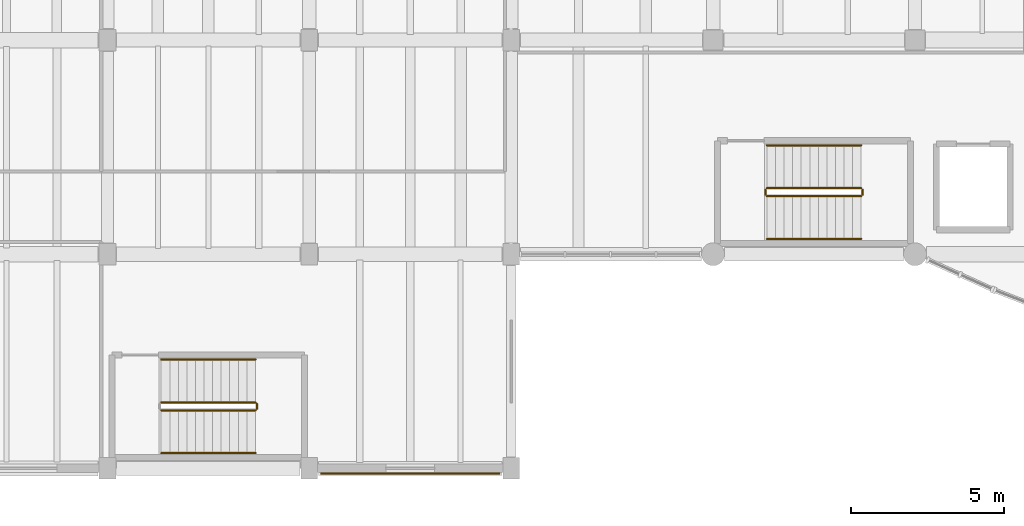
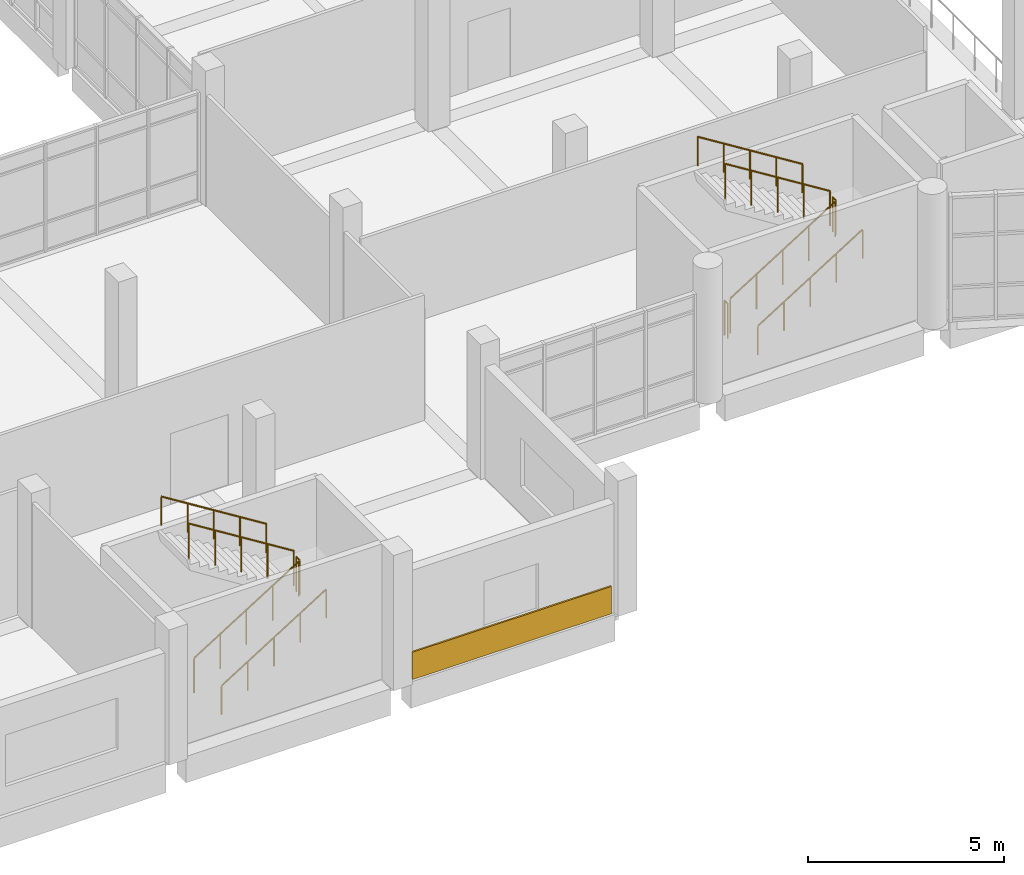
# One storey, part 59 of 68: 11 railings, 1 covering.
"""IFC4 building model written with IfcOpenShell, lengths in metres."""

from ifc_helpers import new_model, si_unit, direction, frame, origin, origin_2d, place, context, subcontext, project, spatial, rectangle, circle, extrude, material, layer, layer_set, type_object, element, save


model = new_model("IFC4")

# Units and contexts
model_context = context("Model", 3, precision=1e-05, world=origin(), true_north=direction((0.0, 1.0)))
body_context = subcontext(model_context, "Body", "Model", "MODEL_VIEW")
ifc_project = project(units=[si_unit("LENGTHUNIT", "METRE"), si_unit("AREAUNIT", "SQUARE_METRE"), si_unit("VOLUMEUNIT", "CUBIC_METRE"), si_unit("PLANEANGLEUNIT", "RADIAN"), si_unit("MASSUNIT", "GRAM", prefix="KILO")], contexts=[model_context])

# Site, building, storey
site_placement = place(None, origin())
site = spatial("IfcSite", under=ifc_project, at=site_placement, CompositionType="ELEMENT")
building_placement = place(site_placement, origin())
building = spatial("IfcBuilding", under=site, at=building_placement, Name="Ciguamira Faculty of Natural Sciences", CompositionType="ELEMENT")
storey_placement = place(building_placement, frame((0.0, 0.0, 4.199951171875)))
storey = spatial("IfcBuildingStorey", under=building, at=storey_placement, Name="L01", CompositionType="ELEMENT", Elevation=4.199951171875)

# Covering
ifc_material_1 = material(Name="Precast concrete C40/50", Category="concrete")
ifc_layer = layer(ifc_material_1, 0.050048828125, Name="Precast concrete C40/50")
ifc_layer_set = layer_set([ifc_layer], Name="Precast concrete C40/50")
covering_type = type_object("IfcCoveringType", Name="Cladding_CL01", PredefinedType="CLADDING", material=ifc_layer_set)
covering_placement = place(storey_placement, frame((47.39990234375, 2.8359375, 0.02490234375), z_axis=(0.0, 0.0, 1.0), x_axis=(1.0, 0.0, 0.0)))
element("IfcCovering", 1, at=covering_placement, inside=storey, type_object=covering_type, Name="L01 precast concrete spandrel cladding 009", PredefinedType="CLADDING", context=body_context, shape_type="SweptSolid", body=[
    extrude(rectangle(XDim=5.85009765625, YDim=0.050048828125, at=origin_2d()), origin(), (0.0, 0.0, 1.0), 0.85009765625),
])

# Railings
ifc_material_2 = material(Name="Stainless steel balustrade", Category="steel")
railing_type_1 = type_object("IfcRailingType", Name="Guardrail_GR01", PredefinedType="GUARDRAIL", material=ifc_material_2)
railing_1_placement = place(storey_placement, frame((59.06005859375, 11.89990234375, 0.175048828125)))
element("IfcRailing", 2, at=railing_1_placement, inside=storey, type_object=railing_type_1, Name="L01 ST-A1 stair guard 1", PredefinedType="GUARDRAIL", context=body_context, shape_type="SweptSolid", body=[
    extrude(circle(Radius=0.02392578125, at=origin_2d()), frame((0.0, 0.0, 1.076171875), z_axis=(0.847979421464, 0.0, 0.530029150871), x_axis=(0.0, 1.0, 0.0)), (0.0, 0.0, 1.0), 3.632080078125),
    extrude(circle(Radius=0.02099609375, at=origin_2d()), origin(), (0.0, 0.0, 1.0), 1.052001953125),
    extrude(circle(Radius=0.02099609375, at=origin_2d()), frame((0.77001953125, 0.0, 0.481201171875)), (0.0, 0.0, 1.0), 1.052001953125),
    extrude(circle(Radius=0.02099609375, at=origin_2d()), frame((1.5400390625, 0.0, 0.96240234375)), (0.0, 0.0, 1.0), 1.052001953125),
    extrude(circle(Radius=0.02099609375, at=origin_2d()), frame((2.309814453125, 0.0, 1.44384765625)), (0.0, 0.0, 1.0), 1.052001953125),
    extrude(circle(Radius=0.02099609375, at=origin_2d()), frame((3.079833984375, 0.0, 1.925048828125)), (0.0, 0.0, 1.0), 1.052001953125),
])
railing_2_placement = place(storey_placement, frame((62.18994140625, 11.949951171875, 2.10009765625)))
element("IfcRailing", 3, at=railing_2_placement, inside=storey, type_object=railing_type_1, Name="L01 ST-A1 stair guard 2", PredefinedType="GUARDRAIL", context=body_context, shape_type="SweptSolid", body=[
    extrude(circle(Radius=0.02392578125, at=origin_2d()), frame((0.0, 0.0, 1.076171875), z_axis=(0.0, 1.0, 0.0), x_axis=(-1.0, 0.0, 0.0)), (0.0, 0.0, 1.0), 0.16015625),
    extrude(circle(Radius=0.02099609375, at=origin_2d()), origin(), (0.0, 0.0, 1.0), 1.052001953125),
    extrude(circle(Radius=0.02099609375, at=origin_2d()), frame((0.0, 0.16015625, 0.0)), (0.0, 0.0, 1.0), 1.052001953125),
])
railing_3_placement = place(storey_placement, frame((62.139892578125, 12.159912109375, 2.275146484375)))
element("IfcRailing", 4, at=railing_3_placement, inside=storey, type_object=railing_type_1, Name="L01 ST-A1 stair guard 3", PredefinedType="GUARDRAIL", context=body_context, shape_type="SweptSolid", body=[
    extrude(circle(Radius=0.02392578125, at=origin_2d()), frame((0.0, 0.0, 1.076171875), z_axis=(-0.848009633417, 0.0, 0.529980812513), x_axis=(0.0, -1.0, 0.0)), (0.0, 0.0, 1.0), 3.6318359375),
    extrude(circle(Radius=0.02099609375, at=origin_2d()), origin(), (0.0, 0.0, 1.0), 1.052001953125),
    extrude(circle(Radius=0.02099609375, at=origin_2d()), frame((-0.77001953125, 0.0, 0.481201171875)), (0.0, 0.0, 1.0), 1.052001953125),
    extrude(circle(Radius=0.02099609375, at=origin_2d()), frame((-1.5400390625, 0.0, 0.96240234375)), (0.0, 0.0, 1.0), 1.052001953125),
    extrude(circle(Radius=0.02099609375, at=origin_2d()), frame((-2.309814453125, 0.0, 1.443603515625)), (0.0, 0.0, 1.0), 1.052001953125),
    extrude(circle(Radius=0.02099609375, at=origin_2d()), frame((-3.079833984375, 0.0, 1.9248046875)), (0.0, 0.0, 1.0), 1.052001953125),
])
railing_4_placement = place(storey_placement, frame((59.010009765625, 11.949951171875, 0.0)))
element("IfcRailing", 5, at=railing_4_placement, inside=storey, type_object=railing_type_1, Name="L01 ST-A1 stair guard 4", PredefinedType="GUARDRAIL", context=body_context, shape_type="SweptSolid", body=[
    extrude(circle(Radius=0.02392578125, at=origin_2d()), frame((0.0, 0.0, 1.076171875), z_axis=(0.0, 1.0, 0.0), x_axis=(-1.0, 0.0, 0.0)), (0.0, 0.0, 1.0), 0.16015625),
    extrude(circle(Radius=0.02099609375, at=origin_2d()), origin(), (0.0, 0.0, 1.0), 1.052001953125),
    extrude(circle(Radius=0.02099609375, at=origin_2d()), frame((0.0, 0.16015625, 0.0)), (0.0, 0.0, 1.0), 1.052001953125),
])
railing_5_placement = place(storey_placement, frame((39.260009765625, 4.89990234375, 0.175048828125)))
element("IfcRailing", 6, at=railing_5_placement, inside=storey, type_object=railing_type_1, Name="L01 ST-C2 stair guard 1", PredefinedType="GUARDRAIL", context=body_context, shape_type="SweptSolid", body=[
    extrude(circle(Radius=0.02392578125, at=origin_2d()), frame((0.0, 0.0, 1.076171875), z_axis=(0.847998304005, 0.0, 0.529998940003), x_axis=(0.0, 1.0, 0.0)), (0.0, 0.0, 1.0), 3.632080078125),
    extrude(circle(Radius=0.02099609375, at=origin_2d()), origin(), (0.0, 0.0, 1.0), 1.052001953125),
    extrude(circle(Radius=0.02099609375, at=origin_2d()), frame((0.77001953125, 0.0, 0.481201171875)), (0.0, 0.0, 1.0), 1.052001953125),
    extrude(circle(Radius=0.02099609375, at=origin_2d()), frame((1.5400390625, 0.0, 0.96240234375)), (0.0, 0.0, 1.0), 1.052001953125),
    extrude(circle(Radius=0.02099609375, at=origin_2d()), frame((2.31005859375, 0.0, 1.44384765625)), (0.0, 0.0, 1.0), 1.052001953125),
    extrude(circle(Radius=0.02099609375, at=origin_2d()), frame((3.080078125, 0.0, 1.925048828125)), (0.0, 0.0, 1.0), 1.052001953125),
])
railing_6_placement = place(storey_placement, frame((42.389892578125, 4.949951171875, 2.10009765625)))
element("IfcRailing", 7, at=railing_6_placement, inside=storey, type_object=railing_type_1, Name="L01 ST-C2 stair guard 2", PredefinedType="GUARDRAIL", context=body_context, shape_type="SweptSolid", body=[
    extrude(circle(Radius=0.02392578125, at=origin_2d()), frame((0.0, 0.0, 1.076171875), z_axis=(0.0, 1.0, 0.0), x_axis=(-1.0, 0.0, 0.0)), (0.0, 0.0, 1.0), 0.16015625),
    extrude(circle(Radius=0.02099609375, at=origin_2d()), origin(), (0.0, 0.0, 1.0), 1.052001953125),
    extrude(circle(Radius=0.02099609375, at=origin_2d()), frame((0.0, 0.16015625, 0.0)), (0.0, 0.0, 1.0), 1.052001953125),
])
railing_7_placement = place(storey_placement, frame((42.340087890625, 5.159912109375, 2.275146484375)))
element("IfcRailing", 8, at=railing_7_placement, inside=storey, type_object=railing_type_1, Name="L01 ST-C2 stair guard 3", PredefinedType="GUARDRAIL", context=body_context, shape_type="SweptSolid", body=[
    extrude(circle(Radius=0.02392578125, at=origin_2d()), frame((0.0, 0.0, 1.076171875), z_axis=(-0.848028513186, 0.0, 0.529950602248), x_axis=(0.0, -1.0, 0.0)), (0.0, 0.0, 1.0), 3.632080078125),
    extrude(circle(Radius=0.02099609375, at=origin_2d()), origin(), (0.0, 0.0, 1.0), 1.052001953125),
    extrude(circle(Radius=0.02099609375, at=origin_2d()), frame((-0.77001953125, 0.0, 0.481201171875)), (0.0, 0.0, 1.0), 1.052001953125),
    extrude(circle(Radius=0.02099609375, at=origin_2d()), frame((-1.5400390625, 0.0, 0.96240234375)), (0.0, 0.0, 1.0), 1.052001953125),
    extrude(circle(Radius=0.02099609375, at=origin_2d()), frame((-2.31005859375, 0.0, 1.443603515625)), (0.0, 0.0, 1.0), 1.052001953125),
    extrude(circle(Radius=0.02099609375, at=origin_2d()), frame((-3.080078125, 0.0, 1.9248046875)), (0.0, 0.0, 1.0), 1.052001953125),
])
ifc_material_3 = material(Name="Stainless steel handrail", Category="steel")
railing_type_2 = type_object("IfcRailingType", Name="Handrail_HR01", PredefinedType="HANDRAIL", material=ifc_material_3)
railing_8_placement = place(storey_placement, frame((59.06005859375, 10.5, 0.35009765625)))
element("IfcRailing", 9, at=railing_8_placement, inside=storey, type_object=railing_type_2, Name="L01 ST-A1 stair handrail 1", PredefinedType="HANDRAIL", context=body_context, shape_type="SweptSolid", body=[
    extrude(circle(Radius=0.02392578125, at=origin_2d()), frame((0.0, 0.0, 0.89111328125), z_axis=(0.847979421464, 0.0, 0.530029150871), x_axis=(0.0, 1.0, 0.0)), (0.0, 0.0, 1.0), 3.632080078125),
    extrude(circle(Radius=0.02099609375, at=origin_2d()), origin(), (0.0, 0.0, 1.0), 0.866943359375),
    extrude(circle(Radius=0.02099609375, at=origin_2d()), frame((0.77001953125, 0.0, 0.481201171875)), (0.0, 0.0, 1.0), 0.866943359375),
    extrude(circle(Radius=0.02099609375, at=origin_2d()), frame((1.5400390625, 0.0, 0.96240234375)), (0.0, 0.0, 1.0), 0.866943359375),
    extrude(circle(Radius=0.02099609375, at=origin_2d()), frame((2.309814453125, 0.0, 1.44384765625)), (0.0, 0.0, 1.0), 0.866943359375),
    extrude(circle(Radius=0.02099609375, at=origin_2d()), frame((3.079833984375, 0.0, 1.925048828125)), (0.0, 0.0, 1.0), 0.866943359375),
])
railing_9_placement = place(storey_placement, frame((62.139892578125, 13.56005859375, 2.449951171875)))
element("IfcRailing", 10, at=railing_9_placement, inside=storey, type_object=railing_type_2, Name="L01 ST-A1 stair handrail 2", PredefinedType="HANDRAIL", context=body_context, shape_type="SweptSolid", body=[
    extrude(circle(Radius=0.02392578125, at=origin_2d()), frame((0.0, 0.0, 0.89111328125), z_axis=(-0.847979421464, 0.0, 0.530029150871), x_axis=(0.0, -1.0, 0.0)), (0.0, 0.0, 1.0), 3.632080078125),
    extrude(circle(Radius=0.02099609375, at=origin_2d()), origin(), (0.0, 0.0, 1.0), 0.866943359375),
    extrude(circle(Radius=0.02099609375, at=origin_2d()), frame((-0.77001953125, 0.0, 0.481201171875)), (0.0, 0.0, 1.0), 0.866943359375),
    extrude(circle(Radius=0.02099609375, at=origin_2d()), frame((-1.5400390625, 0.0, 0.96240234375)), (0.0, 0.0, 1.0), 0.866943359375),
    extrude(circle(Radius=0.02099609375, at=origin_2d()), frame((-2.309814453125, 0.0, 1.44384765625)), (0.0, 0.0, 1.0), 0.866943359375),
    extrude(circle(Radius=0.02099609375, at=origin_2d()), frame((-3.079833984375, 0.0, 1.925048828125)), (0.0, 0.0, 1.0), 0.866943359375),
])
railing_10_placement = place(storey_placement, frame((39.260009765625, 3.5, 0.35009765625)))
element("IfcRailing", 11, at=railing_10_placement, inside=storey, type_object=railing_type_2, Name="L01 ST-C2 stair handrail 1", PredefinedType="HANDRAIL", context=body_context, shape_type="SweptSolid", body=[
    extrude(circle(Radius=0.02392578125, at=origin_2d()), frame((0.0, 0.0, 0.89111328125), z_axis=(0.847998304005, 0.0, 0.529998940003), x_axis=(0.0, 1.0, 0.0)), (0.0, 0.0, 1.0), 3.632080078125),
    extrude(circle(Radius=0.02099609375, at=origin_2d()), origin(), (0.0, 0.0, 1.0), 0.866943359375),
    extrude(circle(Radius=0.02099609375, at=origin_2d()), frame((0.77001953125, 0.0, 0.481201171875)), (0.0, 0.0, 1.0), 0.866943359375),
    extrude(circle(Radius=0.02099609375, at=origin_2d()), frame((1.5400390625, 0.0, 0.96240234375)), (0.0, 0.0, 1.0), 0.866943359375),
    extrude(circle(Radius=0.02099609375, at=origin_2d()), frame((2.31005859375, 0.0, 1.44384765625)), (0.0, 0.0, 1.0), 0.866943359375),
    extrude(circle(Radius=0.02099609375, at=origin_2d()), frame((3.080078125, 0.0, 1.925048828125)), (0.0, 0.0, 1.0), 0.866943359375),
])
railing_11_placement = place(storey_placement, frame((42.340087890625, 6.56005859375, 2.449951171875)))
element("IfcRailing", 12, at=railing_11_placement, inside=storey, type_object=railing_type_2, Name="L01 ST-C2 stair handrail 2", PredefinedType="HANDRAIL", context=body_context, shape_type="SweptSolid", body=[
    extrude(circle(Radius=0.02392578125, at=origin_2d()), frame((0.0, 0.0, 0.89111328125), z_axis=(-0.847998304005, 0.0, 0.529998940003), x_axis=(0.0, -1.0, 0.0)), (0.0, 0.0, 1.0), 3.632080078125),
    extrude(circle(Radius=0.02099609375, at=origin_2d()), origin(), (0.0, 0.0, 1.0), 0.866943359375),
    extrude(circle(Radius=0.02099609375, at=origin_2d()), frame((-0.77001953125, 0.0, 0.481201171875)), (0.0, 0.0, 1.0), 0.866943359375),
    extrude(circle(Radius=0.02099609375, at=origin_2d()), frame((-1.5400390625, 0.0, 0.96240234375)), (0.0, 0.0, 1.0), 0.866943359375),
    extrude(circle(Radius=0.02099609375, at=origin_2d()), frame((-2.31005859375, 0.0, 1.44384765625)), (0.0, 0.0, 1.0), 0.866943359375),
    extrude(circle(Radius=0.02099609375, at=origin_2d()), frame((-3.080078125, 0.0, 1.925048828125)), (0.0, 0.0, 1.0), 0.866943359375),
])

save(model, "model.ifc")
